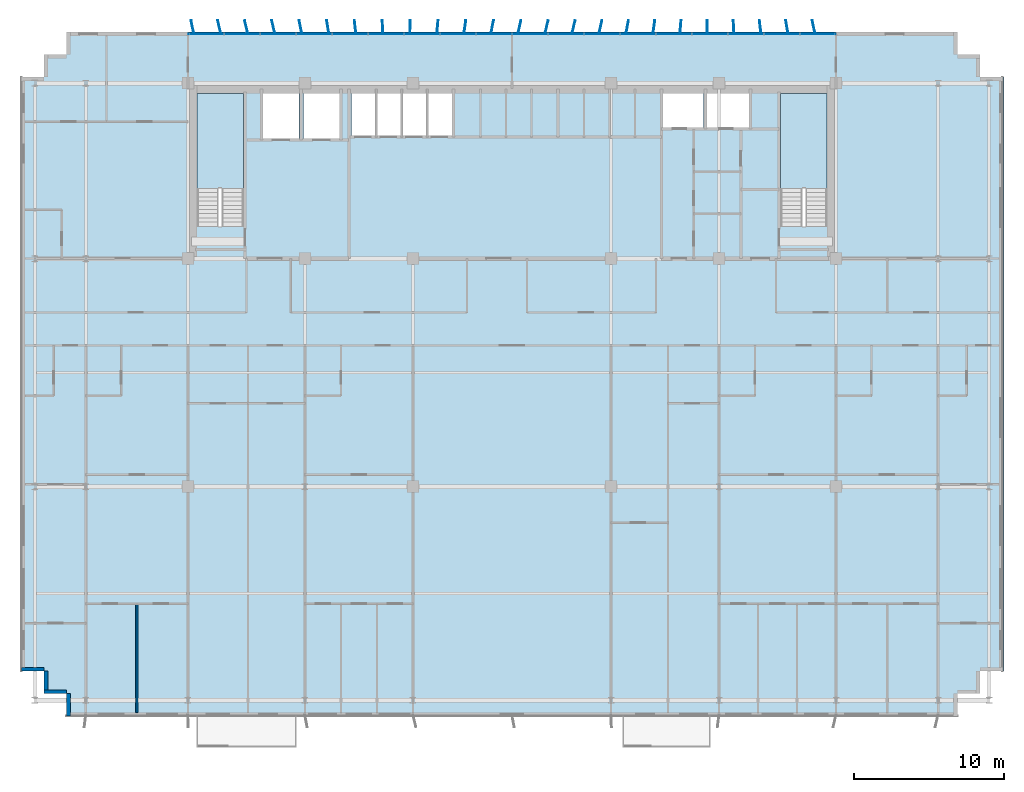
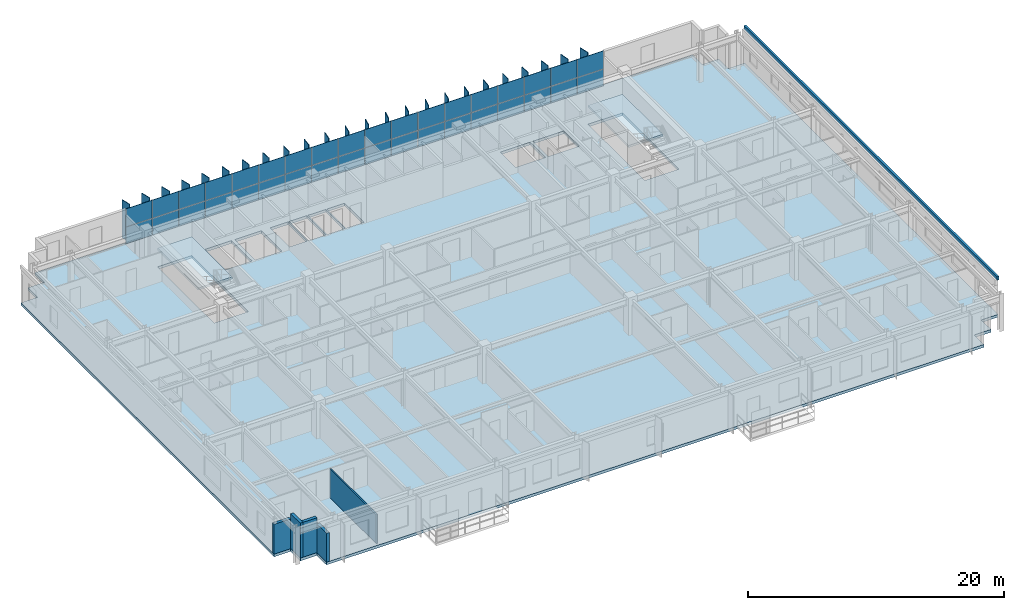
# One storey, part 13 of 22: 61 plates, 5 walls, 3 slabs, 3 elements without a shape of their own.
"""IFC4 building model written with IfcOpenShell, lengths in metres."""

from ifc_helpers import new_model, si_unit, direction, frame, frame_2d, origin, origin_2d, place, context, subcontext, project, spatial, polyline, rectangle, outline, extrude, source, transform, mapped, material, layer, layer_set, type_object, element, aggregate, save


model = new_model("IFC4")

# Units and contexts
model_context = context("Model", 3, precision=1e-05, world=origin(), true_north=direction((0.0, 1.0)))
body_context = subcontext(model_context, "Body", "Model", "MODEL_VIEW")
ifc_project = project(units=[si_unit("LENGTHUNIT", "METRE"), si_unit("AREAUNIT", "SQUARE_METRE"), si_unit("VOLUMEUNIT", "CUBIC_METRE"), si_unit("PLANEANGLEUNIT", "RADIAN"), si_unit("MASSUNIT", "GRAM", prefix="KILO")], contexts=[model_context])

# Site, building, storey
site_placement = place(None, origin())
site = spatial("IfcSite", under=ifc_project, at=site_placement, CompositionType="ELEMENT")
building_placement = place(site_placement, origin())
building = spatial("IfcBuilding", under=site, at=building_placement, Name="Trelvane Seafront Commons", CompositionType="ELEMENT")
storey_placement = place(building_placement, frame((0.0, 0.0, 96.10009765625)))
storey = spatial("IfcBuildingStorey", under=building, at=storey_placement, Name="L24", CompositionType="ELEMENT", Elevation=96.10009765625)

# Stair, slab
ifc_material_1 = material(Name="Concrete C40/50", Category="concrete")
stair_type_1 = type_object("IfcStairType", Name="ARCH-STR-ST-1-R20-180", PredefinedType="HALF_TURN_STAIR", material=ifc_material_1)
stair_1_placement = place(storey_placement, origin())
stair_1 = element("IfcStair", 1, at=stair_1_placement, inside=storey, type_object=stair_type_1, Name="L24 West Protected Firefighting Exit Stair ST-1", PredefinedType="HALF_TURN_STAIR")
ifc_layer_1 = layer(ifc_material_1, 0.199951171875, Name="ARCH-LND-200")
ifc_layer_set_1 = layer_set([ifc_layer_1], Name="Concrete C40/50")
slab_type_1 = type_object("IfcSlabType", Name="ARCH-LND-200", PredefinedType="LANDING", material=ifc_layer_set_1)
slab_1_placement = place(storey_placement, frame((0.0, 0.0, 1.599853515625)))
slab_1 = element("IfcSlab", 2, at=slab_1_placement, type_object=slab_type_1, Name="ST-1 landing 1", PredefinedType="LANDING", context=body_context, shape_type="SweptSolid", body=[
    extrude(outline(polyline([(19.300048828125, 38.070068359375), (19.300048828125, 44.39990234375), (16.199951171875, 44.39990234375), (16.199951171875, 38.070068359375), (19.300048828125, 38.070068359375)])), origin(), (0.0, 0.0, 1.0), 0.199951171875),
])
aggregate(stair_1, [slab_1])

stair_type_2 = type_object("IfcStairType", Name="ARCH-STR-ST-2-R20-180", PredefinedType="HALF_TURN_STAIR", material=ifc_material_1)
stair_2_placement = place(storey_placement, origin())
stair_2 = element("IfcStair", 3, at=stair_2_placement, inside=storey, type_object=stair_type_2, Name="L24 East Protected Firefighting Exit Stair ST-2", PredefinedType="HALF_TURN_STAIR")
slab_2_placement = place(storey_placement, frame((0.0, 0.0, 1.599853515625)))
slab_2 = element("IfcSlab", 4, at=slab_2_placement, type_object=slab_type_1, Name="ST-2 landing 1", PredefinedType="LANDING", context=body_context, shape_type="SweptSolid", body=[
    extrude(outline(polyline([(58.199951171875, 38.070068359375), (58.199951171875, 44.39990234375), (55.10009765625, 44.39990234375), (55.10009765625, 38.070068359375), (58.199951171875, 38.070068359375)])), origin(), (0.0, 0.0, 1.0), 0.199951171875),
])
aggregate(stair_2, [slab_2])

# Slab
ifc_material_2 = material(Name="Concrete C50/60", Category="concrete")
ifc_layer_2 = layer(ifc_material_2, 0.260009765625, Name="STR-SLB-Z1-260")
ifc_layer_set_2 = layer_set([ifc_layer_2], Name="Concrete C50/60")
slab_type_2 = type_object("IfcSlabType", Name="STR-SLB-Z1-260", PredefinedType="FLOOR", material=ifc_layer_set_2)
slab_3_placement = place(storey_placement, frame((0.0, 0.0, -0.260009765625)))
element("IfcSlab", 5, at=slab_3_placement, inside=storey, type_object=slab_type_2, Name="L24 Structural Floor Slab", PredefinedType="FLOOR", context=body_context, shape_type="SweptSolid", body=[
    extrude(outline(polyline([(7.5, 2.89990234375), (66.89990234375, 2.89990234375), (66.89990234375, 4.39990234375), (68.39990234375, 4.39990234375), (68.39990234375, 5.89990234375), (69.89990234375, 5.89990234375), (69.89990234375, 45.5), (68.39990234375, 45.5), (68.39990234375, 47.0), (66.89990234375, 47.0), (66.89990234375, 48.5), (7.5, 48.5), (7.5, 47.0), (6.0, 47.0), (6.0, 45.5), (4.5, 45.5), (4.5, 5.89990234375), (6.0, 5.89990234375), (6.0, 4.39990234375), (7.5, 4.39990234375), (7.5, 2.89990234375)]), holes=[polyline([(19.300048828125, 35.550048828125), (16.199951171875, 35.550048828125), (16.199951171875, 44.39990234375), (19.300048828125, 44.39990234375), (19.300048828125, 35.550048828125)]), polyline([(58.199951171875, 35.550048828125), (55.10009765625, 35.550048828125), (55.10009765625, 44.39990234375), (58.199951171875, 44.39990234375), (58.199951171875, 35.550048828125)]), polyline([(23.0, 41.39990234375), (20.60009765625, 41.39990234375), (20.60009765625, 44.60009765625), (23.0, 44.60009765625), (23.0, 41.39990234375)]), polyline([(23.300048828125, 41.39990234375), (23.300048828125, 44.60009765625), (25.699951171875, 44.60009765625), (25.699951171875, 41.39990234375), (23.300048828125, 41.39990234375)]), polyline([(26.5, 41.60009765625), (26.5, 44.60009765625), (28.1201171875, 44.60009765625), (28.1201171875, 41.60009765625), (26.5, 41.60009765625)]), polyline([(29.820068359375, 41.60009765625), (28.199951171875, 41.60009765625), (28.199951171875, 44.60009765625), (29.820068359375, 44.60009765625), (29.820068359375, 41.60009765625)]), polyline([(31.52001953125, 41.60009765625), (29.89990234375, 41.60009765625), (29.89990234375, 44.60009765625), (31.52001953125, 44.60009765625), (31.52001953125, 41.60009765625)]), polyline([(33.219970703125, 41.60009765625), (31.60009765625, 41.60009765625), (31.60009765625, 44.60009765625), (33.219970703125, 44.60009765625), (33.219970703125, 41.60009765625)]), polyline([(47.25, 42.14990234375), (47.25, 44.550048828125), (49.949951171875, 44.550048828125), (49.949951171875, 42.14990234375), (47.25, 42.14990234375)]), polyline([(50.199951171875, 42.14990234375), (50.199951171875, 44.550048828125), (53.0, 44.550048828125), (53.0, 42.14990234375), (50.199951171875, 42.14990234375)])]), origin(), (0.0, 0.0, 1.0), 0.260009765625),
])

# Plates
ifc_material_3 = material(Name="Anodised pale-silver aluminium", Category="aluminium")
ifc_layer_3 = layer(ifc_material_3, 0.06005859375, Name="ARCH-PLATE-FIN900")
ifc_layer_set_3 = layer_set([ifc_layer_3], Name="Anodised pale-silver aluminium")
plate_type_1 = type_object("IfcPlateType", Name="ARCH-PLATE-FIN900", PredefinedType="USERDEFINED", material=ifc_layer_set_3)
shared_shape_1 = source(origin(), body_context, "Body", "SweptSolid", [
    extrude(rectangle(XDim=0.89990234375, YDim=0.06005859375, at=origin_2d()), origin(), (0.0, 0.0, 1.0), 3.639892578125),
])
for number, where, z_axis, x_axis, name in (
    (6, (15.906005859375, 48.840087890625, -0.02001953125), (0.0, 0.0, 1.0), (-0.209005869023, 0.977914386188, 0.0), "FIN-L24-00584"),
    (7, (17.694580078125, 48.83740234375, -0.02001953125), (0.0, 0.0, 1.0), (-0.234003673103, 0.972235712661, 0.0), "FIN-L24-00585"),
    (8, (19.4912109375, 48.836669921875, -0.02001953125), (0.0, 0.0, 1.0), (-0.241881251735, 0.970305859025, 0.0), "FIN-L24-00586"),
    (9, (21.29541015625, 48.837646484375, -0.02001953125), (0.0, 0.0, 1.0), (-0.23222156616, 0.972662913969, 0.0), "FIN-L24-00587"),
    (10, (23.107421875, 48.84033203125, -0.02001953125), (0.0, 0.0, 1.0), (-0.205551752239, 0.978646247196, 0.0), "FIN-L24-00588"),
    (11, (24.926513671875, 48.843994140625, -0.02001953125), (0.0, 0.0, 1.0), (-0.163551525987, 0.986534793278, 0.0), "FIN-L24-00589"),
    (12, (26.7509765625, 48.847412109375, -0.02001953125), (0.0, 0.0, 1.0), (-0.10911497011, 0.994029136041, 0.0), "FIN-L24-00590"),
    (13, (28.5791015625, 48.849609375, -0.02001953125), (0.0, 0.0, 1.0), (-0.04633585763, 0.998925917322, 0.0), "FIN-L24-00591"),
    (14, (30.4091796875, 48.849853515625, -0.02001953125), (0.0, 0.0, 1.0), (0.020111818231, 0.999797736929, 0.0), "FIN-L24-00592"),
    (15, (32.23828125, 48.848388671875, -0.02001953125), (0.0, 0.0, 1.0), (0.084893487247, 0.996390031977, 0.0), "FIN-L24-00593"),
    (16, (34.064453125, 48.84521484375, -0.02001953125), (0.0, 0.0, 1.0), (0.143224890279, 0.989690169096, 0.0), "FIN-L24-00594"),
    (17, (35.8857421875, 48.841796875, -0.02001953125), (0.0, 0.0, 1.0), (0.190557139492, 0.981676105744, 0.0), "FIN-L24-00595"),
    (18, (37.70068359375, 48.838623046875, -0.02001953125), (0.0, 0.0, 1.0), (0.223561438717, 0.974689839446, 0.0), "FIN-L24-00596"),
    (19, (39.508056640625, 48.8369140625, -0.02001953125), (0.0, 0.0, 1.0), (0.240104362477, 0.970747080922, 0.0), "FIN-L24-00597"),
    (20, (41.3076171875, 48.8369140625, -0.02001953125), (0.0, 0.0, 1.0), (0.239214768335, 0.970966680484, 0.0), "FIN-L24-00598"),
    (21, (43.099365234375, 48.8388671875, -0.02001953125), (0.0, 0.0, 1.0), (0.220881278796, 0.975300702695, 0.0), "FIN-L24-00599"),
    (22, (44.8837890625, 48.842041015625, -0.02001953125), (0.0, 0.0, 1.0), (0.186234243697, 0.982505372237, 0.0), "FIN-L24-00600"),
    (23, (46.662109375, 48.845703125, -0.02001953125), (0.0, 0.0, 1.0), (0.137671010676, 0.990478012285, 0.0), "FIN-L24-00601"),
    (24, (48.435302734375, 48.8486328125, -0.02001953125), (0.0, 0.0, 1.0), (0.078556532496, 0.996909660502, 0.0), "FIN-L24-00602"),
    (25, (50.2060546875, 48.849853515625, -0.02001953125), (0.0, 0.0, 1.0), (0.013222229115, 0.999912582508, 0.0), "FIN-L24-00603"),
    (26, (51.976318359375, 48.849365234375, -0.02001953125), (0.0, 0.0, 1.0), (-0.053001746625, 0.998594419599, 0.0), "FIN-L24-00604"),
    (27, (53.748046875, 48.846923828125, -0.02001953125), (0.0, 0.0, 1.0), (-0.115223216543, 0.993339624886, 0.0), "FIN-L24-00605"),
    (28, (55.524169921875, 48.843505859375, -0.02001953125), (0.0, 0.0, 1.0), (-0.168451531145, 0.98570993789, 0.0), "FIN-L24-00606"),
    (29, (57.305908203125, 48.840087890625, -0.02001953125), (0.0, 0.0, 1.0), (-0.209005869023, 0.977914386188, 0.0), "FIN-L24-00607"),
):
    element("IfcPlate", number, at=place(storey_placement, frame(where, z_axis=z_axis, x_axis=x_axis)), inside=storey, type_object=plate_type_1, Name=name, ObjectType="FIN", PredefinedType="USERDEFINED", context=body_context, shape_type="MappedRepresentation", body=[
        mapped(shared_shape_1, transform((0.0, 0.0, 0.0), x_axis=(1.0, 0.0, 0.0), y_axis=(0.0, 1.0, 0.0), z_axis=(0.0, 0.0, 1.0), scale=1.0)),
    ])
ifc_layer_4 = layer(ifc_material_3, 0.179931640625, Name="ARCH-PLATE-AERO")
ifc_layer_set_4 = layer_set([ifc_layer_4], Name="Anodised pale-silver aluminium")
plate_type_2 = type_object("IfcPlateType", Name="ARCH-PLATE-AERO", PredefinedType="SHEET", material=ifc_layer_set_4)
shared_shape_2 = source(origin(), body_context, "Body", "SweptSolid", [
    extrude(rectangle(XDim=39.60009765625, YDim=0.179931640625, at=origin_2d()), origin(), (0.0, 0.0, 1.0), 0.340087890625),
])
plate_1_placement = place(storey_placement, frame((69.89990234375, 25.699951171875, 3.27978515625), z_axis=(0.0, 0.0, 1.0), x_axis=(0.0, -1.0, 0.0)))
element("IfcPlate", 30, at=plate_1_placement, inside=storey, type_object=plate_type_2, Name="AER-L24-00087", PredefinedType="SHEET", context=body_context, shape_type="MappedRepresentation", body=[
    mapped(shared_shape_2, transform((0.0, 0.0, 0.0), x_axis=(1.0, 0.0, 0.0), y_axis=(0.0, 1.0, 0.0), z_axis=(0.0, 0.0, 1.0), scale=1.0)),
])

# Curtain wall, plates
curtain_wall_type = type_object("IfcCurtainWallType", Name="ARCH-CW4-SKYLOBBY", PredefinedType="NOTDEFINED", material=ifc_material_3)
curtain_wall_placement = place(storey_placement, origin())
curtain_wall = element("IfcCurtainWall", 31, at=curtain_wall_placement, inside=storey, type_object=curtain_wall_type, Name="CW-L24-0049", PredefinedType="NOTDEFINED")
ifc_material_4 = material(Name="Low-E coastal double glazing", Category="glass")
ifc_layer_5 = layer(ifc_material_4, 0.033935546875, Name="ARCH-CW-GLAZ-34")
ifc_layer_set_5 = layer_set([ifc_layer_5], Name="Low-E coastal double glazing")
plate_type_3 = type_object("IfcPlateType", Name="ARCH-CW-GLAZ-34", PredefinedType="CURTAIN_PANEL", material=ifc_layer_set_5)
shared_shape_3 = source(origin(), body_context, "Body", "SweptSolid", [
    extrude(rectangle(XDim=2.3759765625, YDim=0.0400390625, at=origin_2d()), origin(), (0.0, 0.0, 1.0), 1.5849609375),
])
plate_2_placement = place(storey_placement, frame((16.800048828125, 48.3701171875, 0.0), z_axis=(0.0, 0.0, 1.0), x_axis=(1.0, 0.0, 0.0)))
plate_2 = element("IfcPlate", 32, at=plate_2_placement, type_object=plate_type_3, Name="CW-L24-0049-P00-1", PredefinedType="CURTAIN_PANEL", context=body_context, shape_type="MappedRepresentation", body=[
    mapped(shared_shape_3, transform((0.0, 0.0, 0.0), x_axis=(1.0, 0.0, 0.0), y_axis=(0.0, 1.0, 0.0), z_axis=(0.0, 0.0, 1.0), scale=1.0)),
])
plate_3_placement = place(storey_placement, frame((19.199951171875, 48.3701171875, 0.0), z_axis=(0.0, 0.0, 1.0), x_axis=(1.0, 0.0, 0.0)))
plate_3 = element("IfcPlate", 33, at=plate_3_placement, type_object=plate_type_3, Name="CW-L24-0049-P01-1", PredefinedType="CURTAIN_PANEL", context=body_context, shape_type="MappedRepresentation", body=[
    mapped(shared_shape_3, transform((0.0, 0.0, 0.0), x_axis=(1.0, 0.0, 0.0), y_axis=(0.0, 1.0, 0.0), z_axis=(0.0, 0.0, 1.0), scale=1.0)),
])
plate_4_placement = place(storey_placement, frame((21.60009765625, 48.3701171875, 0.0), z_axis=(0.0, 0.0, 1.0), x_axis=(1.0, 0.0, 0.0)))
plate_4 = element("IfcPlate", 34, at=plate_4_placement, type_object=plate_type_3, Name="CW-L24-0049-P02-1", PredefinedType="CURTAIN_PANEL", context=body_context, shape_type="MappedRepresentation", body=[
    mapped(shared_shape_3, transform((0.0, 0.0, 0.0), x_axis=(1.0, 0.0, 0.0), y_axis=(0.0, 1.0, 0.0), z_axis=(0.0, 0.0, 1.0), scale=1.0)),
])
plate_5_placement = place(storey_placement, frame((24.0, 48.3701171875, 0.0), z_axis=(0.0, 0.0, 1.0), x_axis=(1.0, 0.0, 0.0)))
plate_5 = element("IfcPlate", 35, at=plate_5_placement, type_object=plate_type_3, Name="CW-L24-0049-P03-1", PredefinedType="CURTAIN_PANEL", context=body_context, shape_type="MappedRepresentation", body=[
    mapped(shared_shape_3, transform((0.0, 0.0, 0.0), x_axis=(1.0, 0.0, 0.0), y_axis=(0.0, 1.0, 0.0), z_axis=(0.0, 0.0, 1.0), scale=1.0)),
])
plate_6_placement = place(storey_placement, frame((26.39990234375, 48.3701171875, 0.0), z_axis=(0.0, 0.0, 1.0), x_axis=(1.0, 0.0, 0.0)))
plate_6 = element("IfcPlate", 36, at=plate_6_placement, type_object=plate_type_3, Name="CW-L24-0049-P04-1", PredefinedType="CURTAIN_PANEL", context=body_context, shape_type="MappedRepresentation", body=[
    mapped(shared_shape_3, transform((0.0, 0.0, 0.0), x_axis=(1.0, 0.0, 0.0), y_axis=(0.0, 1.0, 0.0), z_axis=(0.0, 0.0, 1.0), scale=1.0)),
])
plate_7_placement = place(storey_placement, frame((28.800048828125, 48.3701171875, 0.0), z_axis=(0.0, 0.0, 1.0), x_axis=(1.0, 0.0, 0.0)))
plate_7 = element("IfcPlate", 37, at=plate_7_placement, type_object=plate_type_3, Name="CW-L24-0049-P05-1", PredefinedType="CURTAIN_PANEL", context=body_context, shape_type="MappedRepresentation", body=[
    mapped(shared_shape_3, transform((0.0, 0.0, 0.0), x_axis=(1.0, 0.0, 0.0), y_axis=(0.0, 1.0, 0.0), z_axis=(0.0, 0.0, 1.0), scale=1.0)),
])
plate_8_placement = place(storey_placement, frame((31.199951171875, 48.3701171875, 0.0), z_axis=(0.0, 0.0, 1.0), x_axis=(1.0, 0.0, 0.0)))
plate_8 = element("IfcPlate", 38, at=plate_8_placement, type_object=plate_type_3, Name="CW-L24-0049-P06-1", PredefinedType="CURTAIN_PANEL", context=body_context, shape_type="MappedRepresentation", body=[
    mapped(shared_shape_3, transform((0.0, 0.0, 0.0), x_axis=(1.0, 0.0, 0.0), y_axis=(0.0, 1.0, 0.0), z_axis=(0.0, 0.0, 1.0), scale=1.0)),
])
plate_9_placement = place(storey_placement, frame((33.60009765625, 48.3701171875, 0.0), z_axis=(0.0, 0.0, 1.0), x_axis=(1.0, 0.0, 0.0)))
plate_9 = element("IfcPlate", 39, at=plate_9_placement, type_object=plate_type_3, Name="CW-L24-0049-P07-1", PredefinedType="CURTAIN_PANEL", context=body_context, shape_type="MappedRepresentation", body=[
    mapped(shared_shape_3, transform((0.0, 0.0, 0.0), x_axis=(1.0, 0.0, 0.0), y_axis=(0.0, 1.0, 0.0), z_axis=(0.0, 0.0, 1.0), scale=1.0)),
])
plate_10_placement = place(storey_placement, frame((36.0, 48.3701171875, 0.0), z_axis=(0.0, 0.0, 1.0), x_axis=(1.0, 0.0, 0.0)))
plate_10 = element("IfcPlate", 40, at=plate_10_placement, type_object=plate_type_3, Name="CW-L24-0049-P08-1", PredefinedType="CURTAIN_PANEL", context=body_context, shape_type="MappedRepresentation", body=[
    mapped(shared_shape_3, transform((0.0, 0.0, 0.0), x_axis=(1.0, 0.0, 0.0), y_axis=(0.0, 1.0, 0.0), z_axis=(0.0, 0.0, 1.0), scale=1.0)),
])
plate_11_placement = place(storey_placement, frame((38.39990234375, 48.3701171875, 0.0), z_axis=(0.0, 0.0, 1.0), x_axis=(1.0, 0.0, 0.0)))
plate_11 = element("IfcPlate", 41, at=plate_11_placement, type_object=plate_type_3, Name="CW-L24-0049-P09-1", PredefinedType="CURTAIN_PANEL", context=body_context, shape_type="MappedRepresentation", body=[
    mapped(shared_shape_3, transform((0.0, 0.0, 0.0), x_axis=(1.0, 0.0, 0.0), y_axis=(0.0, 1.0, 0.0), z_axis=(0.0, 0.0, 1.0), scale=1.0)),
])
plate_12_placement = place(storey_placement, frame((40.800048828125, 48.3701171875, 0.0), z_axis=(0.0, 0.0, 1.0), x_axis=(1.0, 0.0, 0.0)))
plate_12 = element("IfcPlate", 42, at=plate_12_placement, type_object=plate_type_3, Name="CW-L24-0049-P10-1", PredefinedType="CURTAIN_PANEL", context=body_context, shape_type="MappedRepresentation", body=[
    mapped(shared_shape_3, transform((0.0, 0.0, 0.0), x_axis=(1.0, 0.0, 0.0), y_axis=(0.0, 1.0, 0.0), z_axis=(0.0, 0.0, 1.0), scale=1.0)),
])
plate_13_placement = place(storey_placement, frame((43.199951171875, 48.3701171875, 0.0), z_axis=(0.0, 0.0, 1.0), x_axis=(1.0, 0.0, 0.0)))
plate_13 = element("IfcPlate", 43, at=plate_13_placement, type_object=plate_type_3, Name="CW-L24-0049-P11-1", PredefinedType="CURTAIN_PANEL", context=body_context, shape_type="MappedRepresentation", body=[
    mapped(shared_shape_3, transform((0.0, 0.0, 0.0), x_axis=(1.0, 0.0, 0.0), y_axis=(0.0, 1.0, 0.0), z_axis=(0.0, 0.0, 1.0), scale=1.0)),
])
plate_14_placement = place(storey_placement, frame((45.60009765625, 48.3701171875, 0.0), z_axis=(0.0, 0.0, 1.0), x_axis=(1.0, 0.0, 0.0)))
plate_14 = element("IfcPlate", 44, at=plate_14_placement, type_object=plate_type_3, Name="CW-L24-0049-P12-1", PredefinedType="CURTAIN_PANEL", context=body_context, shape_type="MappedRepresentation", body=[
    mapped(shared_shape_3, transform((0.0, 0.0, 0.0), x_axis=(1.0, 0.0, 0.0), y_axis=(0.0, 1.0, 0.0), z_axis=(0.0, 0.0, 1.0), scale=1.0)),
])
plate_15_placement = place(storey_placement, frame((48.0, 48.3701171875, 0.0), z_axis=(0.0, 0.0, 1.0), x_axis=(1.0, 0.0, 0.0)))
plate_15 = element("IfcPlate", 45, at=plate_15_placement, type_object=plate_type_3, Name="CW-L24-0049-P13-1", PredefinedType="CURTAIN_PANEL", context=body_context, shape_type="MappedRepresentation", body=[
    mapped(shared_shape_3, transform((0.0, 0.0, 0.0), x_axis=(1.0, 0.0, 0.0), y_axis=(0.0, 1.0, 0.0), z_axis=(0.0, 0.0, 1.0), scale=1.0)),
])
plate_16_placement = place(storey_placement, frame((50.39990234375, 48.3701171875, 0.0), z_axis=(0.0, 0.0, 1.0), x_axis=(1.0, 0.0, 0.0)))
plate_16 = element("IfcPlate", 46, at=plate_16_placement, type_object=plate_type_3, Name="CW-L24-0049-P14-1", PredefinedType="CURTAIN_PANEL", context=body_context, shape_type="MappedRepresentation", body=[
    mapped(shared_shape_3, transform((0.0, 0.0, 0.0), x_axis=(1.0, 0.0, 0.0), y_axis=(0.0, 1.0, 0.0), z_axis=(0.0, 0.0, 1.0), scale=1.0)),
])
plate_17_placement = place(storey_placement, frame((52.800048828125, 48.3701171875, 0.0), z_axis=(0.0, 0.0, 1.0), x_axis=(1.0, 0.0, 0.0)))
plate_17 = element("IfcPlate", 47, at=plate_17_placement, type_object=plate_type_3, Name="CW-L24-0049-P15-1", PredefinedType="CURTAIN_PANEL", context=body_context, shape_type="MappedRepresentation", body=[
    mapped(shared_shape_3, transform((0.0, 0.0, 0.0), x_axis=(1.0, 0.0, 0.0), y_axis=(0.0, 1.0, 0.0), z_axis=(0.0, 0.0, 1.0), scale=1.0)),
])
plate_18_placement = place(storey_placement, frame((55.199951171875, 48.3701171875, 0.0), z_axis=(0.0, 0.0, 1.0), x_axis=(1.0, 0.0, 0.0)))
plate_18 = element("IfcPlate", 48, at=plate_18_placement, type_object=plate_type_3, Name="CW-L24-0049-P16-1", PredefinedType="CURTAIN_PANEL", context=body_context, shape_type="MappedRepresentation", body=[
    mapped(shared_shape_3, transform((0.0, 0.0, 0.0), x_axis=(1.0, 0.0, 0.0), y_axis=(0.0, 1.0, 0.0), z_axis=(0.0, 0.0, 1.0), scale=1.0)),
])
plate_19_placement = place(storey_placement, frame((57.60009765625, 48.3701171875, 0.0), z_axis=(0.0, 0.0, 1.0), x_axis=(1.0, 0.0, 0.0)))
plate_19 = element("IfcPlate", 49, at=plate_19_placement, type_object=plate_type_3, Name="CW-L24-0049-P17-1", PredefinedType="CURTAIN_PANEL", context=body_context, shape_type="MappedRepresentation", body=[
    mapped(shared_shape_3, transform((0.0, 0.0, 0.0), x_axis=(1.0, 0.0, 0.0), y_axis=(0.0, 1.0, 0.0), z_axis=(0.0, 0.0, 1.0), scale=1.0)),
])
shared_shape_4 = source(origin(), body_context, "Body", "SweptSolid", [
    extrude(rectangle(XDim=2.3759765625, YDim=0.0400390625, at=origin_2d()), origin(), (0.0, 0.0, 1.0), 1.718994140625),
])
plate_20_placement = place(storey_placement, frame((16.800048828125, 48.3701171875, 1.62109375), z_axis=(0.0, 0.0, 1.0), x_axis=(1.0, 0.0, 0.0)))
plate_20 = element("IfcPlate", 50, at=plate_20_placement, type_object=plate_type_3, Name="CW-L24-0049-P00-2", PredefinedType="CURTAIN_PANEL", context=body_context, shape_type="MappedRepresentation", body=[
    mapped(shared_shape_4, transform((0.0, 0.0, 0.0), x_axis=(1.0, 0.0, 0.0), y_axis=(0.0, 1.0, 0.0), z_axis=(0.0, 0.0, 1.0), scale=1.0)),
])
plate_21_placement = place(storey_placement, frame((19.199951171875, 48.3701171875, 1.62109375), z_axis=(0.0, 0.0, 1.0), x_axis=(1.0, 0.0, 0.0)))
plate_21 = element("IfcPlate", 51, at=plate_21_placement, type_object=plate_type_3, Name="CW-L24-0049-P01-2", PredefinedType="CURTAIN_PANEL", context=body_context, shape_type="MappedRepresentation", body=[
    mapped(shared_shape_4, transform((0.0, 0.0, 0.0), x_axis=(1.0, 0.0, 0.0), y_axis=(0.0, 1.0, 0.0), z_axis=(0.0, 0.0, 1.0), scale=1.0)),
])
plate_22_placement = place(storey_placement, frame((21.60009765625, 48.3701171875, 1.62109375), z_axis=(0.0, 0.0, 1.0), x_axis=(1.0, 0.0, 0.0)))
plate_22 = element("IfcPlate", 52, at=plate_22_placement, type_object=plate_type_3, Name="CW-L24-0049-P02-2", PredefinedType="CURTAIN_PANEL", context=body_context, shape_type="MappedRepresentation", body=[
    mapped(shared_shape_4, transform((0.0, 0.0, 0.0), x_axis=(1.0, 0.0, 0.0), y_axis=(0.0, 1.0, 0.0), z_axis=(0.0, 0.0, 1.0), scale=1.0)),
])
plate_23_placement = place(storey_placement, frame((24.0, 48.3701171875, 1.62109375), z_axis=(0.0, 0.0, 1.0), x_axis=(1.0, 0.0, 0.0)))
plate_23 = element("IfcPlate", 53, at=plate_23_placement, type_object=plate_type_3, Name="CW-L24-0049-P03-2", PredefinedType="CURTAIN_PANEL", context=body_context, shape_type="MappedRepresentation", body=[
    mapped(shared_shape_4, transform((0.0, 0.0, 0.0), x_axis=(1.0, 0.0, 0.0), y_axis=(0.0, 1.0, 0.0), z_axis=(0.0, 0.0, 1.0), scale=1.0)),
])
plate_24_placement = place(storey_placement, frame((26.39990234375, 48.3701171875, 1.62109375), z_axis=(0.0, 0.0, 1.0), x_axis=(1.0, 0.0, 0.0)))
plate_24 = element("IfcPlate", 54, at=plate_24_placement, type_object=plate_type_3, Name="CW-L24-0049-P04-2", PredefinedType="CURTAIN_PANEL", context=body_context, shape_type="MappedRepresentation", body=[
    mapped(shared_shape_4, transform((0.0, 0.0, 0.0), x_axis=(1.0, 0.0, 0.0), y_axis=(0.0, 1.0, 0.0), z_axis=(0.0, 0.0, 1.0), scale=1.0)),
])
plate_25_placement = place(storey_placement, frame((28.800048828125, 48.3701171875, 1.62109375), z_axis=(0.0, 0.0, 1.0), x_axis=(1.0, 0.0, 0.0)))
plate_25 = element("IfcPlate", 55, at=plate_25_placement, type_object=plate_type_3, Name="CW-L24-0049-P05-2", PredefinedType="CURTAIN_PANEL", context=body_context, shape_type="MappedRepresentation", body=[
    mapped(shared_shape_4, transform((0.0, 0.0, 0.0), x_axis=(1.0, 0.0, 0.0), y_axis=(0.0, 1.0, 0.0), z_axis=(0.0, 0.0, 1.0), scale=1.0)),
])
plate_26_placement = place(storey_placement, frame((31.199951171875, 48.3701171875, 1.62109375), z_axis=(0.0, 0.0, 1.0), x_axis=(1.0, 0.0, 0.0)))
plate_26 = element("IfcPlate", 56, at=plate_26_placement, type_object=plate_type_3, Name="CW-L24-0049-P06-2", PredefinedType="CURTAIN_PANEL", context=body_context, shape_type="MappedRepresentation", body=[
    mapped(shared_shape_4, transform((0.0, 0.0, 0.0), x_axis=(1.0, 0.0, 0.0), y_axis=(0.0, 1.0, 0.0), z_axis=(0.0, 0.0, 1.0), scale=1.0)),
])
plate_27_placement = place(storey_placement, frame((33.60009765625, 48.3701171875, 1.62109375), z_axis=(0.0, 0.0, 1.0), x_axis=(1.0, 0.0, 0.0)))
plate_27 = element("IfcPlate", 57, at=plate_27_placement, type_object=plate_type_3, Name="CW-L24-0049-P07-2", PredefinedType="CURTAIN_PANEL", context=body_context, shape_type="MappedRepresentation", body=[
    mapped(shared_shape_4, transform((0.0, 0.0, 0.0), x_axis=(1.0, 0.0, 0.0), y_axis=(0.0, 1.0, 0.0), z_axis=(0.0, 0.0, 1.0), scale=1.0)),
])
plate_28_placement = place(storey_placement, frame((36.0, 48.3701171875, 1.62109375), z_axis=(0.0, 0.0, 1.0), x_axis=(1.0, 0.0, 0.0)))
plate_28 = element("IfcPlate", 58, at=plate_28_placement, type_object=plate_type_3, Name="CW-L24-0049-P08-2", PredefinedType="CURTAIN_PANEL", context=body_context, shape_type="MappedRepresentation", body=[
    mapped(shared_shape_4, transform((0.0, 0.0, 0.0), x_axis=(1.0, 0.0, 0.0), y_axis=(0.0, 1.0, 0.0), z_axis=(0.0, 0.0, 1.0), scale=1.0)),
])
plate_29_placement = place(storey_placement, frame((38.39990234375, 48.3701171875, 1.62109375), z_axis=(0.0, 0.0, 1.0), x_axis=(1.0, 0.0, 0.0)))
plate_29 = element("IfcPlate", 59, at=plate_29_placement, type_object=plate_type_3, Name="CW-L24-0049-P09-2", PredefinedType="CURTAIN_PANEL", context=body_context, shape_type="MappedRepresentation", body=[
    mapped(shared_shape_4, transform((0.0, 0.0, 0.0), x_axis=(1.0, 0.0, 0.0), y_axis=(0.0, 1.0, 0.0), z_axis=(0.0, 0.0, 1.0), scale=1.0)),
])
plate_30_placement = place(storey_placement, frame((40.800048828125, 48.3701171875, 1.62109375), z_axis=(0.0, 0.0, 1.0), x_axis=(1.0, 0.0, 0.0)))
plate_30 = element("IfcPlate", 60, at=plate_30_placement, type_object=plate_type_3, Name="CW-L24-0049-P10-2", PredefinedType="CURTAIN_PANEL", context=body_context, shape_type="MappedRepresentation", body=[
    mapped(shared_shape_4, transform((0.0, 0.0, 0.0), x_axis=(1.0, 0.0, 0.0), y_axis=(0.0, 1.0, 0.0), z_axis=(0.0, 0.0, 1.0), scale=1.0)),
])
plate_31_placement = place(storey_placement, frame((43.199951171875, 48.3701171875, 1.62109375), z_axis=(0.0, 0.0, 1.0), x_axis=(1.0, 0.0, 0.0)))
plate_31 = element("IfcPlate", 61, at=plate_31_placement, type_object=plate_type_3, Name="CW-L24-0049-P11-2", PredefinedType="CURTAIN_PANEL", context=body_context, shape_type="MappedRepresentation", body=[
    mapped(shared_shape_4, transform((0.0, 0.0, 0.0), x_axis=(1.0, 0.0, 0.0), y_axis=(0.0, 1.0, 0.0), z_axis=(0.0, 0.0, 1.0), scale=1.0)),
])
plate_32_placement = place(storey_placement, frame((45.60009765625, 48.3701171875, 1.62109375), z_axis=(0.0, 0.0, 1.0), x_axis=(1.0, 0.0, 0.0)))
plate_32 = element("IfcPlate", 62, at=plate_32_placement, type_object=plate_type_3, Name="CW-L24-0049-P12-2", PredefinedType="CURTAIN_PANEL", context=body_context, shape_type="MappedRepresentation", body=[
    mapped(shared_shape_4, transform((0.0, 0.0, 0.0), x_axis=(1.0, 0.0, 0.0), y_axis=(0.0, 1.0, 0.0), z_axis=(0.0, 0.0, 1.0), scale=1.0)),
])
plate_33_placement = place(storey_placement, frame((48.0, 48.3701171875, 1.62109375), z_axis=(0.0, 0.0, 1.0), x_axis=(1.0, 0.0, 0.0)))
plate_33 = element("IfcPlate", 63, at=plate_33_placement, type_object=plate_type_3, Name="CW-L24-0049-P13-2", PredefinedType="CURTAIN_PANEL", context=body_context, shape_type="MappedRepresentation", body=[
    mapped(shared_shape_4, transform((0.0, 0.0, 0.0), x_axis=(1.0, 0.0, 0.0), y_axis=(0.0, 1.0, 0.0), z_axis=(0.0, 0.0, 1.0), scale=1.0)),
])
plate_34_placement = place(storey_placement, frame((50.39990234375, 48.3701171875, 1.62109375), z_axis=(0.0, 0.0, 1.0), x_axis=(1.0, 0.0, 0.0)))
plate_34 = element("IfcPlate", 64, at=plate_34_placement, type_object=plate_type_3, Name="CW-L24-0049-P14-2", PredefinedType="CURTAIN_PANEL", context=body_context, shape_type="MappedRepresentation", body=[
    mapped(shared_shape_4, transform((0.0, 0.0, 0.0), x_axis=(1.0, 0.0, 0.0), y_axis=(0.0, 1.0, 0.0), z_axis=(0.0, 0.0, 1.0), scale=1.0)),
])
plate_35_placement = place(storey_placement, frame((52.800048828125, 48.3701171875, 1.62109375), z_axis=(0.0, 0.0, 1.0), x_axis=(1.0, 0.0, 0.0)))
plate_35 = element("IfcPlate", 65, at=plate_35_placement, type_object=plate_type_3, Name="CW-L24-0049-P15-2", PredefinedType="CURTAIN_PANEL", context=body_context, shape_type="MappedRepresentation", body=[
    mapped(shared_shape_4, transform((0.0, 0.0, 0.0), x_axis=(1.0, 0.0, 0.0), y_axis=(0.0, 1.0, 0.0), z_axis=(0.0, 0.0, 1.0), scale=1.0)),
])
plate_36_placement = place(storey_placement, frame((55.199951171875, 48.3701171875, 1.62109375), z_axis=(0.0, 0.0, 1.0), x_axis=(1.0, 0.0, 0.0)))
plate_36 = element("IfcPlate", 66, at=plate_36_placement, type_object=plate_type_3, Name="CW-L24-0049-P16-2", PredefinedType="CURTAIN_PANEL", context=body_context, shape_type="MappedRepresentation", body=[
    mapped(shared_shape_4, transform((0.0, 0.0, 0.0), x_axis=(1.0, 0.0, 0.0), y_axis=(0.0, 1.0, 0.0), z_axis=(0.0, 0.0, 1.0), scale=1.0)),
])
plate_37_placement = place(storey_placement, frame((57.60009765625, 48.3701171875, 1.62109375), z_axis=(0.0, 0.0, 1.0), x_axis=(1.0, 0.0, 0.0)))
plate_37 = element("IfcPlate", 67, at=plate_37_placement, type_object=plate_type_3, Name="CW-L24-0049-P17-2", PredefinedType="CURTAIN_PANEL", context=body_context, shape_type="MappedRepresentation", body=[
    mapped(shared_shape_4, transform((0.0, 0.0, 0.0), x_axis=(1.0, 0.0, 0.0), y_axis=(0.0, 1.0, 0.0), z_axis=(0.0, 0.0, 1.0), scale=1.0)),
])
aggregate(curtain_wall, [plate_2, plate_20, plate_3, plate_21, plate_4, plate_22, plate_5, plate_23, plate_6, plate_24, plate_7, plate_25, plate_8, plate_26, plate_9, plate_27, plate_10, plate_28, plate_11, plate_29, plate_12, plate_30, plate_13, plate_31, plate_14, plate_32, plate_15, plate_33, plate_16, plate_34, plate_17, plate_35, plate_18, plate_36, plate_19, plate_37])

# Walls
ifc_material_5 = material(Name="Precast concrete C40/50", Category="concrete")
ifc_layer_6 = layer(ifc_material_5, 0.260009765625, Name="ARCH-WALL-EXT260")
ifc_layer_set_6 = layer_set([ifc_layer_6], Name="Precast concrete C40/50")
wall_type_1 = type_object("IfcWallType", Name="ARCH-WALL-EXT260", PredefinedType="SOLIDWALL", material=ifc_layer_set_6)
for number, where, z_axis, x_axis, name in (
    (68, (7.5, 4.530029296875, 0.0), (0.0, 0.0, 1.0), (-1.0, 0.0, 0.0), "EW-L24-00435"),
    (69, (6.1298828125, 4.39990234375, 0.0), (0.0, 0.0, 1.0), (0.0, 1.0, 0.0), "EW-L24-00436"),
):
    element("IfcWall", number, at=place(storey_placement, frame(where, z_axis=z_axis, x_axis=x_axis)), inside=storey, type_object=wall_type_1, Name=name, PredefinedType="SOLIDWALL", context=body_context, shape_type="SweptSolid", body=[
        extrude(rectangle(XDim=1.5, YDim=0.260009765625, at=frame_2d((0.75, 0.0))), origin(), (0.0, 0.0, 1.0), 3.33984375),
    ])
wall_1_placement = place(storey_placement, frame((6.0, 6.030029296875, 0.0), z_axis=(0.0, 0.0, 1.0), x_axis=(-1.0, 0.0, 0.0)))
element("IfcWall", 70, at=wall_1_placement, inside=storey, type_object=wall_type_1, Name="EW-L24-00437", PredefinedType="SOLIDWALL", context=body_context, shape_type="SweptSolid", body=[
    extrude(rectangle(XDim=1.5, YDim=0.260009765625, at=frame_2d((0.75, 0.0))), origin(), (0.0, 0.0, 1.0), 2.83984375),
])
wall_2_placement = place(storey_placement, frame((7.6298828125, 2.89990234375, 0.0), z_axis=(0.0, 0.0, 1.0), x_axis=(0.0, 1.0, 0.0)))
element("IfcWall", 71, at=wall_2_placement, inside=storey, type_object=wall_type_1, Name="EW-L24-00453", PredefinedType="SOLIDWALL", context=body_context, shape_type="SweptSolid", body=[
    extrude(rectangle(XDim=1.5, YDim=0.260009765625, at=frame_2d((0.75, 0.0))), origin(), (0.0, 0.0, 1.0), 2.751953125),
])
ifc_material_6 = material(Name="Gypsum Drywall Acoustic Partition")
ifc_layer_7 = layer(ifc_material_6, 0.1201171875, Name="ARCH-WALL-PART120")
ifc_layer_set_7 = layer_set([ifc_layer_7], Name="Gypsum Drywall Acoustic Partition")
wall_type_2 = type_object("IfcWallType", Name="ARCH-WALL-PART120", PredefinedType="PARTITIONING", material=ifc_layer_set_7)
wall_3_placement = place(storey_placement, frame((12.199951171875, 3.14501953125, 0.0), z_axis=(0.0, 0.0, 1.0), x_axis=(0.0, 1.0, 0.0)))
element("IfcWall", 72, at=wall_3_placement, inside=storey, type_object=wall_type_2, Name="W-L24-U2-BDV-1-081", PredefinedType="PARTITIONING", context=body_context, shape_type="SweptSolid", body=[
    extrude(rectangle(XDim=7.2548828125, YDim=0.1201171875, at=frame_2d((3.62744140625, 0.0))), origin(), (0.0, 0.0, 1.0), 2.751953125),
])

save(model, "model.ifc")
